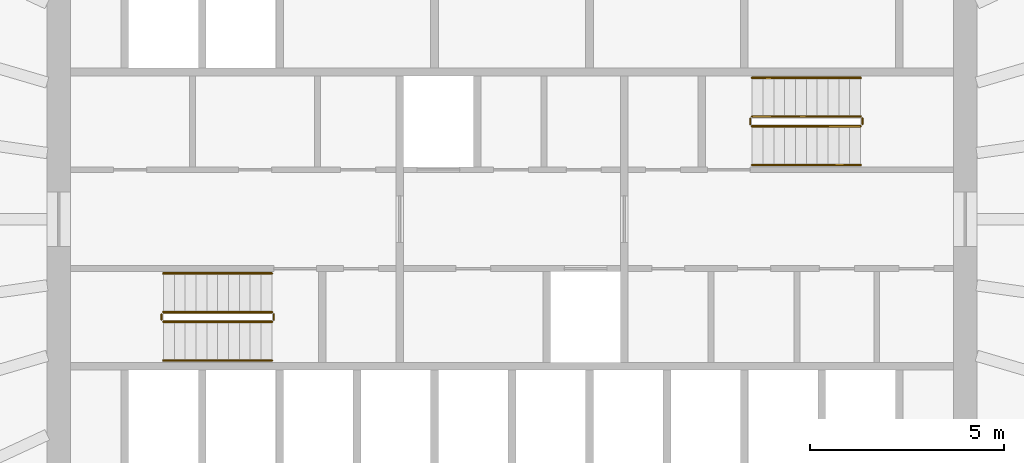
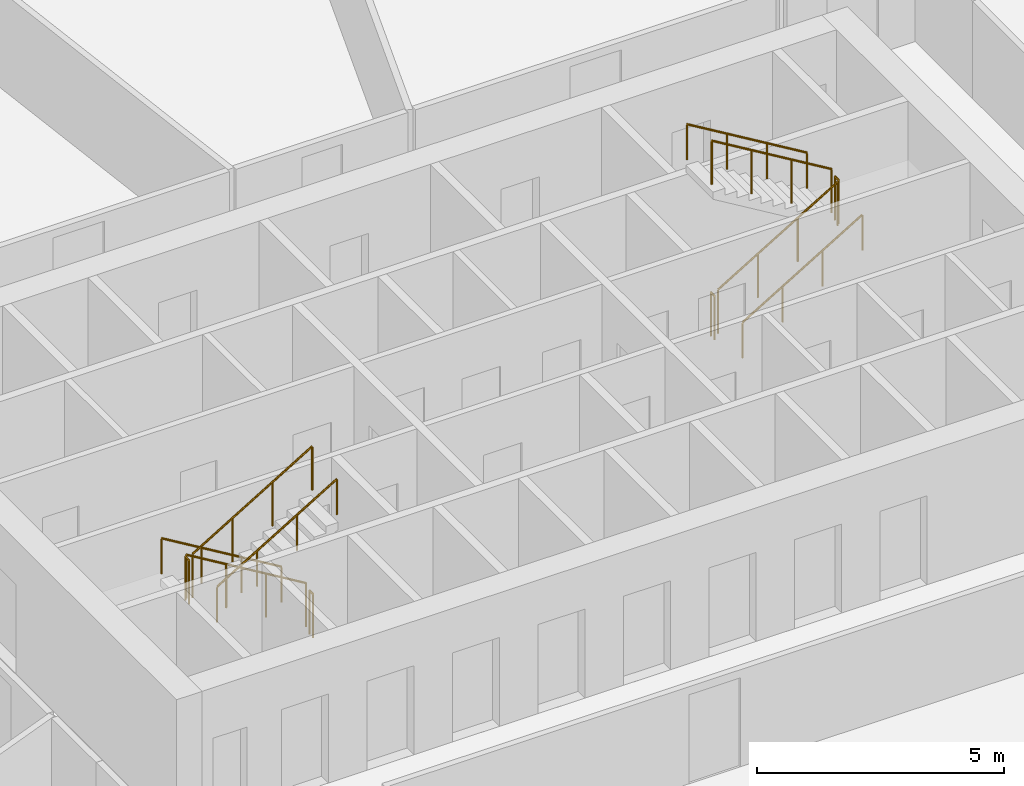
# One storey, part 11 of 11: 12 railings.
"""IFC4 building model written with IfcOpenShell, lengths in metres."""

import ifcopenshell
import ifcopenshell.guid

model = None  # the IFC model being written
_history = None  # IfcOwnerHistory: only IFC2X3 demands one
_inside = {}  # id of a spatial element -> (the spatial element, [elements in it])
_under = {}  # id of a project, library or spatial element -> (it, [spatial elements below it])
_declared = {}  # id of a project -> (the project, [libraries it declares])
_typed = {}  # id of a type object -> (the type object, [elements of that type])
_made_of = {}  # id of a material, layer set ... -> (it, [elements and type objects made of it])


def new_model(schema):
    """Start an empty IFC model of exactly this schema.

    Asked for "IFC4X3", IfcOpenShell would pick the latest addendum, in which some entities
    have other attributes; the version numbers below select the first issue.
    IFC2X3 requires an IfcOwnerHistory on every rooted entity: one is made here for all.
    """
    global model, _history
    if schema == "IFC4X3":
        model = ifcopenshell.file(schema_version=(4, 3, 0, 0))
    else:
        model = ifcopenshell.file(schema=schema)
    _inside.clear()
    _under.clear()
    _declared.clear()
    _typed.clear()
    _made_of.clear()
    _history = None
    if model.schema == "IFC2X3":
        org = make("IfcOrganization", Name="unknown")
        user = make(
            "IfcPersonAndOrganization",
            ThePerson=make("IfcPerson", FamilyName="unknown"),
            TheOrganization=org,
        )
        app = make(
            "IfcApplication",
            ApplicationDeveloper=org,
            Version="unknown",
            ApplicationFullName="unknown",
            ApplicationIdentifier="unknown",
        )
        _history = make(
            "IfcOwnerHistory",
            OwningUser=user,
            OwningApplication=app,
            ChangeAction="ADDED",
            CreationDate=0,
        )
    return model


def make(cls, **values):
    """One entity of the class cls with the attributes given. An attribute that is None is left unset."""
    return model.create_entity(
        cls, **{name: value for name, value in values.items() if value is not None}
    )


def rooted(cls, **values):
    """An entity with a GlobalId (a new one), such as an element, a storey or a relation."""
    return make(cls, GlobalId=ifcopenshell.guid.new(), OwnerHistory=_history, **values)


def si_unit(unit_type, name, prefix=None):
    """IfcSIUnit, for example si_unit("LENGTHUNIT", "METRE", prefix="MILLI")."""
    return make("IfcSIUnit", UnitType=unit_type, Prefix=prefix, Name=name)


def assignment(units):
    """IfcUnitAssignment: the units of a project."""
    return None if units is None else make("IfcUnitAssignment", Units=units)


def point(xyz):
    """IfcCartesianPoint."""
    return None if xyz is None else make("IfcCartesianPoint", Coordinates=xyz)


def direction(xyz):
    """IfcDirection."""
    return None if xyz is None else make("IfcDirection", DirectionRatios=xyz)


def frame(location, z_axis=None, x_axis=None):
    """IfcAxis2Placement3D, a coordinate frame: its origin and axes. An axis left out is left unset."""
    return make(
        "IfcAxis2Placement3D",
        Location=point(location),
        Axis=direction(z_axis),
        RefDirection=direction(x_axis),
    )


def frame_2d(location, x_axis=None):
    """IfcAxis2Placement2D, a coordinate frame in the plane: its origin and x axis."""
    return make(
        "IfcAxis2Placement2D", Location=point(location), RefDirection=direction(x_axis)
    )


def origin():
    """The frame at (0, 0, 0) with its axes left unset."""
    return frame((0.0, 0.0, 0.0))


def origin_2d():
    """The frame at (0, 0) in the plane with its x axis left unset."""
    return frame_2d((0.0, 0.0))


def place(relative_to, where):
    """IfcLocalPlacement: puts the frame where relative to a parent placement (None: the world)."""
    return make(
        "IfcLocalPlacement", PlacementRelTo=relative_to, RelativePlacement=where
    )


def context(
    kind, dimensions, precision=None, world=None, true_north=None, identifier=None
):
    """IfcGeometricRepresentationContext, for example the 3D "Model" context."""
    return make(
        "IfcGeometricRepresentationContext",
        ContextIdentifier=identifier,
        ContextType=kind,
        CoordinateSpaceDimension=dimensions,
        Precision=precision,
        WorldCoordinateSystem=world,
        TrueNorth=true_north,
    )


def subcontext(parent, identifier, kind, view, scale=None):
    """IfcGeometricRepresentationSubContext, for example "Body" below "Model"."""
    return make(
        "IfcGeometricRepresentationSubContext",
        ContextIdentifier=identifier,
        ContextType=kind,
        ParentContext=parent,
        TargetScale=scale,
        TargetView=view,
    )


def project(units=None, contexts=None):
    """IfcProject with its units and contexts."""
    return rooted(
        "IfcProject",
        Name="project",
        RepresentationContexts=contexts,
        UnitsInContext=assignment(units),
    )


def spatial(cls, under=None, at=None, **own):
    """A site, building, storey or space (cls), placed at a placement, below another one or the project."""
    s = rooted(cls, ObjectPlacement=at, **own)
    if under is not None:
        _under.setdefault(under.id(), (under, []))[1].append(s)
    return s


def profile(cls, at=None, kind="AREA", **sizes):
    """A parametric profile (cls). Its sizes go by their IFC names, for example OverallWidth=200.0."""
    return make(cls, ProfileType=kind, Position=at, **sizes)


def circle(**sizes):
    """IfcCircleProfileDef."""
    return profile("IfcCircleProfileDef", **sizes)


def extrude(swept, where, along, depth):
    """IfcExtrudedAreaSolid: the profile swept, set in the frame where, extruded along a direction by depth."""
    return make(
        "IfcExtrudedAreaSolid",
        SweptArea=swept,
        Position=where,
        ExtrudedDirection=direction(along),
        Depth=depth,
    )


def shape(context_of_items, identifier, shape_type, items):
    """IfcShapeRepresentation: the items that make up one representation, for example the "Body"."""
    return make(
        "IfcShapeRepresentation",
        ContextOfItems=context_of_items,
        RepresentationIdentifier=identifier,
        RepresentationType=shape_type,
        Items=items,
    )


def material(Name=None, Category=None):
    """IfcMaterial."""
    return make("IfcMaterial", Name=Name, Category=Category)


def made_of(thing, what):
    """Note that an element or type object is made of a material, layer set ...; save() writes the relation."""
    if what is not None:
        _made_of.setdefault(what.id(), (what, []))[1].append(thing)
    return thing


def type_object(cls, material=None, **own):
    """A type object (cls), such as IfcWallType, which elements share."""
    return made_of(rooted(cls, **own), material)


def element(
    cls,
    number,
    at=None,
    inside=None,
    cuts=None,
    type_object=None,
    material=None,
    context=None,
    identifier="Body",
    shape_type=None,
    held_by="IfcProductDefinitionShape",
    body=None,
    shapes=None,
    **own,
):
    """One element of the class cls, such as IfcWall. Its Tag is "e" and its number.

    at: its placement. inside: the storey or other place that contains it. cuts: it is an
    opening in that element (IfcRelVoidsElement). A single representation is given by context,
    identifier, shape_type and body (its items); several are given by shapes. held_by: the class
    of the entity that holds the representations. save() writes the other relations.
    """
    e = rooted(cls, Tag="e%d" % number, ObjectPlacement=at, **own)
    if body is not None:
        shapes = [shape(context, identifier, shape_type, body)]
    if shapes is not None:
        e.Representation = make(held_by, Representations=shapes)
    if inside is not None:
        _inside.setdefault(inside.id(), (inside, []))[1].append(e)
    if cuts is not None:
        rooted(
            "IfcRelVoidsElement", RelatingBuildingElement=cuts, RelatedOpeningElement=e
        )
    if type_object is not None:
        _typed.setdefault(type_object.id(), (type_object, []))[1].append(e)
    return made_of(e, material)


def aggregate(whole, parts):
    """IfcRelAggregates: a whole, such as a stair, and the parts it consists of."""
    return rooted("IfcRelAggregates", RelatingObject=whole, RelatedObjects=parts)


def save(model, path):
    """Write the relations noted so far, then the file.

    IfcRelAggregates (storeys below a building ...), IfcRelContainedInSpatialStructure (elements
    in a storey), IfcRelDefinesByType, IfcRelAssociatesMaterial and IfcRelDeclares: one each for
    every whole, place, type object, material and project.
    """
    for whole, parts in _under.values():
        aggregate(whole, parts)
    for where, things in _inside.values():
        rooted(
            "IfcRelContainedInSpatialStructure",
            RelatedElements=things,
            RelatingStructure=where,
        )
    for kind, things in _typed.values():
        rooted("IfcRelDefinesByType", RelatedObjects=things, RelatingType=kind)
    for what, things in _made_of.values():
        rooted("IfcRelAssociatesMaterial", RelatedObjects=things, RelatingMaterial=what)
    for by, libraries in _declared.values():
        rooted("IfcRelDeclares", RelatingContext=by, RelatedDefinitions=libraries)
    model.write(path)


model = new_model("IFC4")

# Units and contexts
model_context = context("Model", 3, precision=1e-05, world=origin(), true_north=direction((0.0, 1.0)))
body_context = subcontext(model_context, "Body", "Model", "MODEL_VIEW")
ifc_project = project(units=[si_unit("LENGTHUNIT", "METRE"), si_unit("AREAUNIT", "SQUARE_METRE"), si_unit("VOLUMEUNIT", "CUBIC_METRE"), si_unit("PLANEANGLEUNIT", "RADIAN"), si_unit("MASSUNIT", "GRAM", prefix="KILO")], contexts=[model_context])

# Site, building, storey
site_placement = place(None, origin())
site = spatial("IfcSite", under=ifc_project, at=site_placement, CompositionType="ELEMENT")
building_placement = place(site_placement, origin())
building = spatial("IfcBuilding", under=site, at=building_placement, Name="Siaravel Broadcast Tower", CompositionType="ELEMENT")
storey_placement = place(building_placement, frame((0.0, 0.0, 51.89990234375)))
storey = spatial("IfcBuildingStorey", under=building, at=storey_placement, Name="L11", CompositionType="ELEMENT", Elevation=51.89990234375)

# Railings
ifc_material = material(Name="Stainless steel 316L", Category="steel")
railing_type_1 = type_object("IfcRailingType", Name="Stair guard 1100", PredefinedType="GUARDRAIL", material=ifc_material)
railing_1_placement = place(storey_placement, frame((-6.199951171875, -2.39990234375, 0.168212890625)))
element("IfcRailing", 1, at=railing_1_placement, inside=storey, type_object=railing_type_1, Name="L11 ST-1 stair guard 1", PredefinedType="GUARDRAIL", context=body_context, shape_type="SweptSolid", body=[
    extrude(circle(Radius=0.02392578125, at=origin_2d()), frame((0.0, 0.0, 1.076171875), z_axis=(-0.857242211, 0.0, 0.514913383), x_axis=(0.0, -1.0, 0.0)), (0.0, 0.0, 1.0), 3.266357421875),
    extrude(circle(Radius=0.02099609375, at=origin_2d()), origin(), (0.0, 0.0, 1.0), 1.052001953125),
    extrude(circle(Radius=0.02099609375, at=origin_2d()), frame((-0.933349609375, 0.0, 0.560546875)), (0.0, 0.0, 1.0), 1.052001953125),
    extrude(circle(Radius=0.02099609375, at=origin_2d()), frame((-1.86669921875, 0.0, 1.121337890625)), (0.0, 0.0, 1.0), 1.052001953125),
    extrude(circle(Radius=0.02099609375, at=origin_2d()), frame((-2.800048828125, 0.0, 1.681884765625)), (0.0, 0.0, 1.0), 1.052001953125),
])
railing_2_placement = place(storey_placement, frame((-9.050048828125, -2.449951171875, 1.85009765625)))
element("IfcRailing", 2, at=railing_2_placement, inside=storey, type_object=railing_type_1, Name="L11 ST-1 stair guard 2", PredefinedType="GUARDRAIL", context=body_context, shape_type="SweptSolid", body=[
    extrude(circle(Radius=0.02392578125, at=origin_2d()), frame((0.0, 0.0, 1.076171875), z_axis=(0.0, -1.0, 0.0), x_axis=(1.0, 0.0, 0.0)), (0.0, 0.0, 1.0), 0.150146484375),
    extrude(circle(Radius=0.02099609375, at=origin_2d()), origin(), (0.0, 0.0, 1.0), 1.052001953125),
    extrude(circle(Radius=0.02099609375, at=origin_2d()), frame((0.0, -0.150146484375, 0.0)), (0.0, 0.0, 1.0), 1.052001953125),
])
railing_3_placement = place(storey_placement, frame((-9.0, -2.64990234375, 2.018310546875)))
element("IfcRailing", 3, at=railing_3_placement, inside=storey, type_object=railing_type_1, Name="L11 ST-1 stair guard 3", PredefinedType="GUARDRAIL", context=body_context, shape_type="SweptSolid", body=[
    extrude(circle(Radius=0.02392578125, at=origin_2d()), frame((0.0, 0.0, 1.076171875), z_axis=(0.857242211, 0.0, 0.514913383), x_axis=(0.0, 1.0, 0.0)), (0.0, 0.0, 1.0), 3.266357421875),
    extrude(circle(Radius=0.02099609375, at=origin_2d()), origin(), (0.0, 0.0, 1.0), 1.052001953125),
    extrude(circle(Radius=0.02099609375, at=origin_2d()), frame((0.933349609375, 0.0, 0.560546875)), (0.0, 0.0, 1.0), 1.052001953125),
    extrude(circle(Radius=0.02099609375, at=origin_2d()), frame((1.86669921875, 0.0, 1.121337890625)), (0.0, 0.0, 1.0), 1.052001953125),
    extrude(circle(Radius=0.02099609375, at=origin_2d()), frame((2.800048828125, 0.0, 1.681884765625)), (0.0, 0.0, 1.0), 1.052001953125),
])
railing_4_placement = place(storey_placement, frame((-6.14990234375, -2.449951171875, 0.0)))
element("IfcRailing", 4, at=railing_4_placement, inside=storey, type_object=railing_type_1, Name="L11 ST-1 stair guard 4", PredefinedType="GUARDRAIL", context=body_context, shape_type="SweptSolid", body=[
    extrude(circle(Radius=0.02392578125, at=origin_2d()), frame((0.0, 0.0, 1.076171875), z_axis=(0.0, -1.0, 0.0), x_axis=(1.0, 0.0, 0.0)), (0.0, 0.0, 1.0), 0.150146484375),
    extrude(circle(Radius=0.02099609375, at=origin_2d()), origin(), (0.0, 0.0, 1.0), 1.052001953125),
    extrude(circle(Radius=0.02099609375, at=origin_2d()), frame((0.0, -0.150146484375, 0.0)), (0.0, 0.0, 1.0), 1.052001953125),
])
railing_5_placement = place(storey_placement, frame((6.199951171875, 2.39990234375, 0.168212890625)))
element("IfcRailing", 5, at=railing_5_placement, inside=storey, type_object=railing_type_1, Name="L11 ST-2 stair guard 1", PredefinedType="GUARDRAIL", context=body_context, shape_type="SweptSolid", body=[
    extrude(circle(Radius=0.02392578125, at=origin_2d()), frame((0.0, 0.0, 1.076171875), z_axis=(0.857242211, 0.0, 0.514913383), x_axis=(0.0, 1.0, 0.0)), (0.0, 0.0, 1.0), 3.266357421875),
    extrude(circle(Radius=0.02099609375, at=origin_2d()), origin(), (0.0, 0.0, 1.0), 1.052001953125),
    extrude(circle(Radius=0.02099609375, at=origin_2d()), frame((0.933349609375, 0.0, 0.560546875)), (0.0, 0.0, 1.0), 1.052001953125),
    extrude(circle(Radius=0.02099609375, at=origin_2d()), frame((1.86669921875, 0.0, 1.121337890625)), (0.0, 0.0, 1.0), 1.052001953125),
    extrude(circle(Radius=0.02099609375, at=origin_2d()), frame((2.800048828125, 0.0, 1.681884765625)), (0.0, 0.0, 1.0), 1.052001953125),
])
railing_6_placement = place(storey_placement, frame((9.050048828125, 2.449951171875, 1.85009765625)))
element("IfcRailing", 6, at=railing_6_placement, inside=storey, type_object=railing_type_1, Name="L11 ST-2 stair guard 2", PredefinedType="GUARDRAIL", context=body_context, shape_type="SweptSolid", body=[
    extrude(circle(Radius=0.02392578125, at=origin_2d()), frame((0.0, 0.0, 1.076171875), z_axis=(0.0, 1.0, 0.0), x_axis=(-1.0, 0.0, 0.0)), (0.0, 0.0, 1.0), 0.150146484375),
    extrude(circle(Radius=0.02099609375, at=origin_2d()), origin(), (0.0, 0.0, 1.0), 1.052001953125),
    extrude(circle(Radius=0.02099609375, at=origin_2d()), frame((0.0, 0.150146484375, 0.0)), (0.0, 0.0, 1.0), 1.052001953125),
])
railing_7_placement = place(storey_placement, frame((9.0, 2.64990234375, 2.018310546875)))
element("IfcRailing", 7, at=railing_7_placement, inside=storey, type_object=railing_type_1, Name="L11 ST-2 stair guard 3", PredefinedType="GUARDRAIL", context=body_context, shape_type="SweptSolid", body=[
    extrude(circle(Radius=0.02392578125, at=origin_2d()), frame((0.0, 0.0, 1.076171875), z_axis=(-0.857242211, 0.0, 0.514913383), x_axis=(0.0, -1.0, 0.0)), (0.0, 0.0, 1.0), 3.266357421875),
    extrude(circle(Radius=0.02099609375, at=origin_2d()), origin(), (0.0, 0.0, 1.0), 1.052001953125),
    extrude(circle(Radius=0.02099609375, at=origin_2d()), frame((-0.933349609375, 0.0, 0.560546875)), (0.0, 0.0, 1.0), 1.052001953125),
    extrude(circle(Radius=0.02099609375, at=origin_2d()), frame((-1.86669921875, 0.0, 1.121337890625)), (0.0, 0.0, 1.0), 1.052001953125),
    extrude(circle(Radius=0.02099609375, at=origin_2d()), frame((-2.800048828125, 0.0, 1.681884765625)), (0.0, 0.0, 1.0), 1.052001953125),
])
railing_8_placement = place(storey_placement, frame((6.14990234375, 2.449951171875, 0.0)))
element("IfcRailing", 8, at=railing_8_placement, inside=storey, type_object=railing_type_1, Name="L11 ST-2 stair guard 4", PredefinedType="GUARDRAIL", context=body_context, shape_type="SweptSolid", body=[
    extrude(circle(Radius=0.02392578125, at=origin_2d()), frame((0.0, 0.0, 1.076171875), z_axis=(0.0, 1.0, 0.0), x_axis=(-1.0, 0.0, 0.0)), (0.0, 0.0, 1.0), 0.150146484375),
    extrude(circle(Radius=0.02099609375, at=origin_2d()), origin(), (0.0, 0.0, 1.0), 1.052001953125),
    extrude(circle(Radius=0.02099609375, at=origin_2d()), frame((0.0, 0.150146484375, 0.0)), (0.0, 0.0, 1.0), 1.052001953125),
])
railing_type_2 = type_object("IfcRailingType", Name="Stair handrail 900", PredefinedType="HANDRAIL", material=ifc_material)
railing_9_placement = place(storey_placement, frame((-6.199951171875, -1.39990234375, 0.168212890625)))
element("IfcRailing", 9, at=railing_9_placement, inside=storey, type_object=railing_type_2, Name="L11 ST-1 stair handrail 1", PredefinedType="HANDRAIL", context=body_context, shape_type="SweptSolid", body=[
    extrude(circle(Radius=0.02392578125, at=origin_2d()), frame((0.0, 0.0, 0.8759765625), z_axis=(-0.857242211, 0.0, 0.514913383), x_axis=(0.0, -1.0, 0.0)), (0.0, 0.0, 1.0), 3.266357421875),
    extrude(circle(Radius=0.02099609375, at=origin_2d()), origin(), (0.0, 0.0, 1.0), 0.851806640625),
    extrude(circle(Radius=0.02099609375, at=origin_2d()), frame((-0.933349609375, 0.0, 0.560546875)), (0.0, 0.0, 1.0), 0.851806640625),
    extrude(circle(Radius=0.02099609375, at=origin_2d()), frame((-1.86669921875, 0.0, 1.121337890625)), (0.0, 0.0, 1.0), 0.851806640625),
    extrude(circle(Radius=0.02099609375, at=origin_2d()), frame((-2.800048828125, 0.0, 1.681884765625)), (0.0, 0.0, 1.0), 0.851806640625),
])
for number, where, name in (
    (10, (-9.0, -3.64990234375, 2.018310546875), "L11 ST-1 stair handrail 2"),
    (11, (6.199951171875, 1.39990234375, 0.168212890625), "L11 ST-2 stair handrail 1"),
):
    element("IfcRailing", number, at=place(storey_placement, frame(where)), inside=storey, type_object=railing_type_2, Name=name, PredefinedType="HANDRAIL", context=body_context, shape_type="SweptSolid", body=[
        extrude(circle(Radius=0.02392578125, at=origin_2d()), frame((0.0, 0.0, 0.8759765625), z_axis=(0.857242211, 0.0, 0.514913383), x_axis=(0.0, 1.0, 0.0)), (0.0, 0.0, 1.0), 3.266357421875),
        extrude(circle(Radius=0.02099609375, at=origin_2d()), origin(), (0.0, 0.0, 1.0), 0.851806640625),
        extrude(circle(Radius=0.02099609375, at=origin_2d()), frame((0.933349609375, 0.0, 0.560546875)), (0.0, 0.0, 1.0), 0.851806640625),
        extrude(circle(Radius=0.02099609375, at=origin_2d()), frame((1.86669921875, 0.0, 1.121337890625)), (0.0, 0.0, 1.0), 0.851806640625),
        extrude(circle(Radius=0.02099609375, at=origin_2d()), frame((2.800048828125, 0.0, 1.681884765625)), (0.0, 0.0, 1.0), 0.851806640625),
    ])
railing_10_placement = place(storey_placement, frame((9.0, 3.64990234375, 2.018310546875)))
element("IfcRailing", 12, at=railing_10_placement, inside=storey, type_object=railing_type_2, Name="L11 ST-2 stair handrail 2", PredefinedType="HANDRAIL", context=body_context, shape_type="SweptSolid", body=[
    extrude(circle(Radius=0.02392578125, at=origin_2d()), frame((0.0, 0.0, 0.8759765625), z_axis=(-0.857242211, 0.0, 0.514913383), x_axis=(0.0, -1.0, 0.0)), (0.0, 0.0, 1.0), 3.266357421875),
    extrude(circle(Radius=0.02099609375, at=origin_2d()), origin(), (0.0, 0.0, 1.0), 0.851806640625),
    extrude(circle(Radius=0.02099609375, at=origin_2d()), frame((-0.933349609375, 0.0, 0.560546875)), (0.0, 0.0, 1.0), 0.851806640625),
    extrude(circle(Radius=0.02099609375, at=origin_2d()), frame((-1.86669921875, 0.0, 1.121337890625)), (0.0, 0.0, 1.0), 0.851806640625),
    extrude(circle(Radius=0.02099609375, at=origin_2d()), frame((-2.800048828125, 0.0, 1.681884765625)), (0.0, 0.0, 1.0), 0.851806640625),
])

save(model, "model.ifc")
